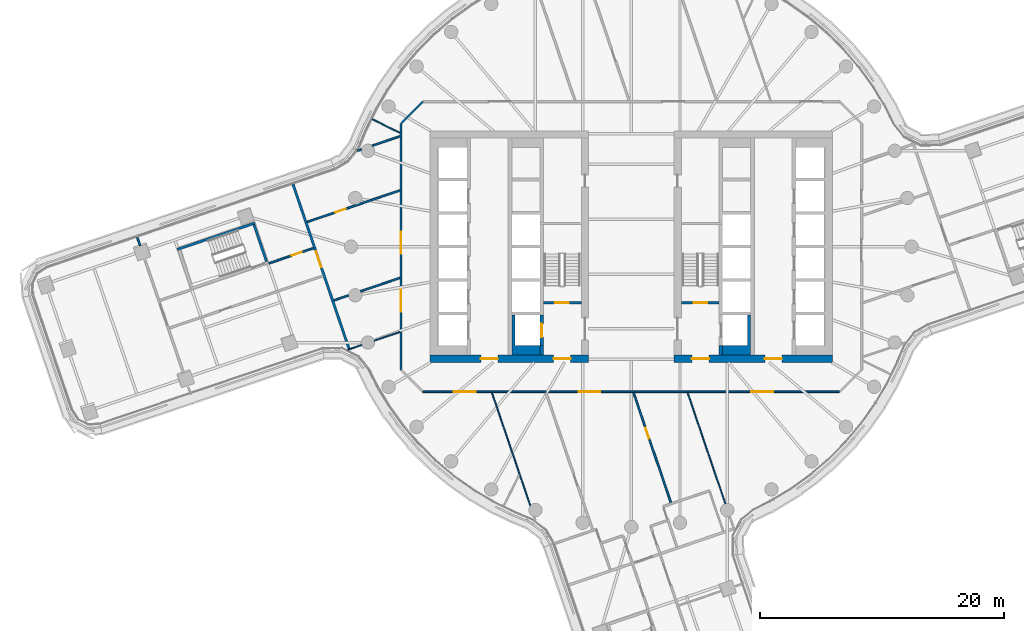
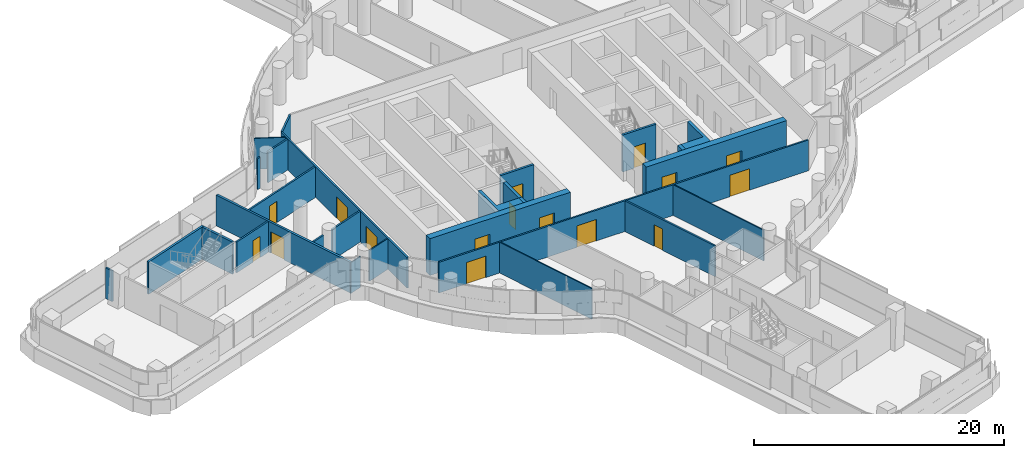
# One storey, part 18 of 29: 28 walls, 16 doors, 16 openings.
"""IFC4 building model written with IfcOpenShell, lengths in metres."""

from ifc_helpers import new_model, si_unit, direction, frame, frame_2d, origin, place, context, subcontext, project, spatial, polyline, rectangle, outline, extrude, material, layer, layer_set, type_object, element, fill, save


model = new_model("IFC4")

# Units and contexts
model_context = context("Model", 3, precision=1e-05, world=origin(), true_north=direction((0.0, 1.0)))
body_context = subcontext(model_context, "Body", "Model", "MODEL_VIEW")
ifc_project = project(units=[si_unit("LENGTHUNIT", "METRE"), si_unit("AREAUNIT", "SQUARE_METRE"), si_unit("VOLUMEUNIT", "CUBIC_METRE"), si_unit("PLANEANGLEUNIT", "RADIAN"), si_unit("MASSUNIT", "GRAM", prefix="KILO")], contexts=[model_context])

# Site, building, storey
site_placement = place(None, origin())
site = spatial("IfcSite", under=ifc_project, at=site_placement, CompositionType="ELEMENT")
building_placement = place(site_placement, origin())
building = spatial("IfcBuilding", under=site, at=building_placement, Name="Tamarind Cross Interchange Tower", CompositionType="ELEMENT")
storey_placement = place(building_placement, frame((0.0, 0.0, 102.25)))
storey = spatial("IfcBuildingStorey", under=building, at=storey_placement, Name="L24", CompositionType="ELEMENT", Elevation=102.25)

# Wall, openings, doors
ifc_material_1 = material(Name="Concrete C70", Category="concrete")
ifc_layer_1 = layer(ifc_material_1, 0.60009765625)
ifc_layer_set_1 = layer_set([ifc_layer_1], Name="Concrete C70")
wall_type_1 = type_object("IfcWallType", Name="Core wall 600 mm Concrete C70", PredefinedType="SHEAR", material=ifc_layer_set_1)
wall_1_placement = place(storey_placement, frame((-16.5, -9.199951171875, 0.0), z_axis=(0.0, 0.0, 1.0), x_axis=(1.0, 0.0, 0.0)))
wall_1 = element("IfcWall", 1, at=wall_1_placement, inside=storey, type_object=wall_type_1, Name="Core wall CWL-L24-W-S", PredefinedType="SHEAR", context=body_context, shape_type="SweptSolid", body=[
    extrude(rectangle(XDim=13.0, YDim=0.60009765625, at=frame_2d((6.5, 0.0))), origin(), (0.0, 0.0, 1.0), 3.610107421875),
])
opening_1_placement = place(wall_1_placement, frame((4.14990234375, 0.0, 0.0)))
opening_1 = element("IfcOpeningElement", 2, at=opening_1_placement, cuts=wall_1, Name="Opening DCW1", PredefinedType="OPENING", context=body_context, shape_type="SweptSolid", body=[
    extrude(rectangle(XDim=1.39990234375, YDim=2.10009765625, at=frame_2d((0.699951171875, 1.050048828125))), frame((0.0, 0.31005859375, 0.0), z_axis=(0.0, -1.0, 0.0), x_axis=(1.0, 0.0, 0.0)), (0.0, 0.0, 1.0), 0.6201171875),
])
opening_2_placement = place(wall_1_placement, frame((10.125, 0.0, 0.0)))
opening_2 = element("IfcOpeningElement", 3, at=opening_2_placement, cuts=wall_1, Name="Opening DCWF", PredefinedType="OPENING", context=body_context, shape_type="SweptSolid", body=[
    extrude(rectangle(XDim=1.39990234375, YDim=2.10009765625, at=frame_2d((0.699951171875, 1.050048828125))), frame((0.0, 0.31005859375, 0.0), z_axis=(0.0, -1.0, 0.0), x_axis=(1.0, 0.0, 0.0)), (0.0, 0.0, 1.0), 0.6201171875),
])
ifc_material_2 = material(Name="Steel, fire-resisting", Category="steel")
door_type_1 = type_object("IfcDoorType", Name="Core fire door 1400 x 2100 FD90", OperationType="SINGLE_SWING_LEFT", PredefinedType="DOOR", material=ifc_material_2)
door_1_placement = place(opening_1_placement, origin())
door_1 = element("IfcDoor", 4, at=door_1_placement, inside=storey, type_object=door_type_1, Name="L24 lift lobby door", OperationType="SINGLE_SWING_LEFT", OverallHeight=2.10009765625, OverallWidth=1.39990234375, PredefinedType="DOOR", context=body_context, shape_type="SweptSolid", body=[
    extrude(rectangle(XDim=1.39990234375, YDim=2.10009765625, at=frame_2d((0.699951171875, 1.050048828125))), frame((0.0, 0.02490234375, 0.0), z_axis=(0.0, -1.0, 0.0), x_axis=(1.0, 0.0, 0.0)), (0.0, 0.0, 1.0), 0.050048828125),
])
fill(opening_1, door_1)
door_2_placement = place(opening_2_placement, origin())
door_2 = element("IfcDoor", 5, at=door_2_placement, inside=storey, type_object=door_type_1, Name="L24 firefighting lobby end door", OperationType="SINGLE_SWING_LEFT", OverallHeight=2.10009765625, OverallWidth=1.39990234375, PredefinedType="DOOR", context=body_context, shape_type="SweptSolid", body=[
    extrude(rectangle(XDim=1.39990234375, YDim=2.10009765625, at=frame_2d((0.699951171875, 1.050048828125))), frame((0.0, 0.02490234375, 0.0), z_axis=(0.0, -1.0, 0.0), x_axis=(1.0, 0.0, 0.0)), (0.0, 0.0, 1.0), 0.050048828125),
])
fill(opening_2, door_2)

wall_2_placement = place(storey_placement, frame((16.5, -9.199951171875, 0.0), z_axis=(0.0, 0.0, 1.0), x_axis=(-1.0, 0.0, 0.0)))
wall_2 = element("IfcWall", 6, at=wall_2_placement, inside=storey, type_object=wall_type_1, Name="Core wall CWL-L24-E-S", PredefinedType="SHEAR", context=body_context, shape_type="SweptSolid", body=[
    extrude(rectangle(XDim=13.0, YDim=0.60009765625, at=frame_2d((6.5, 0.0))), origin(), (0.0, 0.0, 1.0), 3.610107421875),
])
opening_3_placement = place(wall_2_placement, frame((4.14990234375, 0.0, 0.0)))
opening_3 = element("IfcOpeningElement", 7, at=opening_3_placement, cuts=wall_2, Name="Opening DCE1", PredefinedType="OPENING", context=body_context, shape_type="SweptSolid", body=[
    extrude(rectangle(XDim=1.39990234375, YDim=2.10009765625, at=frame_2d((0.699951171875, 1.050048828125))), frame((0.0, 0.31005859375, 0.0), z_axis=(0.0, -1.0, 0.0), x_axis=(1.0, 0.0, 0.0)), (0.0, 0.0, 1.0), 0.6201171875),
])
opening_4_placement = place(wall_2_placement, frame((10.125, 0.0, 0.0)))
opening_4 = element("IfcOpeningElement", 8, at=opening_4_placement, cuts=wall_2, Name="Opening DCEF", PredefinedType="OPENING", context=body_context, shape_type="SweptSolid", body=[
    extrude(rectangle(XDim=1.39990234375, YDim=2.10009765625, at=frame_2d((0.699951171875, 1.050048828125))), frame((0.0, 0.31005859375, 0.0), z_axis=(0.0, -1.0, 0.0), x_axis=(1.0, 0.0, 0.0)), (0.0, 0.0, 1.0), 0.6201171875),
])
door_3_placement = place(opening_3_placement, origin())
door_3 = element("IfcDoor", 9, at=door_3_placement, inside=storey, type_object=door_type_1, Name="L24 lift lobby door", OperationType="SINGLE_SWING_LEFT", OverallHeight=2.10009765625, OverallWidth=1.39990234375, PredefinedType="DOOR", context=body_context, shape_type="SweptSolid", body=[
    extrude(rectangle(XDim=1.39990234375, YDim=2.10009765625, at=frame_2d((0.699951171875, 1.050048828125))), frame((0.0, 0.02490234375, 0.0), z_axis=(0.0, -1.0, 0.0), x_axis=(1.0, 0.0, 0.0)), (0.0, 0.0, 1.0), 0.050048828125),
])
fill(opening_3, door_3)
door_4_placement = place(opening_4_placement, origin())
door_4 = element("IfcDoor", 10, at=door_4_placement, inside=storey, type_object=door_type_1, Name="L24 firefighting lobby end door", OperationType="SINGLE_SWING_LEFT", OverallHeight=2.10009765625, OverallWidth=1.39990234375, PredefinedType="DOOR", context=body_context, shape_type="SweptSolid", body=[
    extrude(rectangle(XDim=1.39990234375, YDim=2.10009765625, at=frame_2d((0.699951171875, 1.050048828125))), frame((0.0, 0.02490234375, 0.0), z_axis=(0.0, -1.0, 0.0), x_axis=(1.0, 0.0, 0.0)), (0.0, 0.0, 1.0), 0.050048828125),
])
fill(opening_4, door_4)

# Walls
ifc_layer_2 = layer(ifc_material_1, 0.300048828125)
ifc_layer_set_2 = layer_set([ifc_layer_2], Name="Concrete C70")
wall_type_2 = type_object("IfcWallType", Name="Core web wall 300 mm Concrete C70", PredefinedType="SHEAR", material=ifc_layer_set_2)
wall_3_placement = place(storey_placement, origin())
element("IfcWall", 11, at=wall_3_placement, inside=storey, type_object=wall_type_2, Name="Core wall CWL-L24-W-BS", PredefinedType="SHEAR", context=body_context, shape_type="SweptSolid", body=[
    extrude(outline(polyline([(-7.5, -8.125), (-9.550048828125, -8.125), (-9.550048828125, -5.625), (-9.800048828125, -5.625), (-9.800048828125, -8.125), (-9.800048828125, -8.89990234375), (-7.5, -8.89990234375), (-7.5, -8.125)])), origin(), (0.0, 0.0, 1.0), 3.610107421875),
])
wall_4_placement = place(storey_placement, frame((-7.35009765625, -8.89990234375, 0.0), z_axis=(0.0, 0.0, 1.0), x_axis=(0.0, 1.0, 0.0)))
element("IfcWall", 12, at=wall_4_placement, inside=storey, type_object=wall_type_2, Name="Core wall CWL-L24-W-BW", PredefinedType="SHEAR", context=body_context, shape_type="SweptSolid", body=[
    extrude(rectangle(XDim=0.77490234375, YDim=0.300048828125, at=frame_2d((0.387451171875, 0.0))), origin(), (0.0, 0.0, 1.0), 3.610107421875),
])

# Wall, opening, door
wall_5_placement = place(storey_placement, frame((-7.35009765625, -8.125, 0.0), z_axis=(0.0, 0.0, 1.0), x_axis=(0.0, 1.0, 0.0)))
wall_5 = element("IfcWall", 13, at=wall_5_placement, inside=storey, type_object=wall_type_2, Name="Core wall CWL-L24-W-FF", PredefinedType="SHEAR", context=body_context, shape_type="SweptSolid", body=[
    extrude(rectangle(XDim=2.5, YDim=0.300048828125, at=frame_2d((1.25, 0.0))), origin(), (0.0, 0.0, 1.0), 3.610107421875),
])
opening_5_placement = place(wall_5_placement, frame((0.699951171875, 0.0, 0.0)))
opening_5 = element("IfcOpeningElement", 14, at=opening_5_placement, cuts=wall_5, Name="Opening LD7L24", PredefinedType="OPENING", context=body_context, shape_type="SweptSolid", body=[
    extrude(rectangle(XDim=1.10009765625, YDim=2.10009765625, at=frame_2d((0.550048828125, 1.050048828125))), frame((0.0, 0.159912109375, 0.0), z_axis=(0.0, -1.0, 0.0), x_axis=(1.0, 0.0, 0.0)), (0.0, 0.0, 1.0), 0.320068359375),
])
ifc_material_3 = material(Name="Stainless steel panel", Category="steel")
door_type_2 = type_object("IfcDoorType", Name="Lift landing door 1100 x 2100 E 120", OperationType="SLIDING_TO_LEFT", PredefinedType="DOOR", material=ifc_material_3)
door_5_placement = place(opening_5_placement, origin())
door_5 = element("IfcDoor", 15, at=door_5_placement, inside=storey, type_object=door_type_2, Name="L24 landing door LF7", OperationType="SLIDING_TO_LEFT", OverallHeight=2.10009765625, OverallWidth=1.10009765625, PredefinedType="DOOR", context=body_context, shape_type="SweptSolid", body=[
    extrude(rectangle(XDim=1.10009765625, YDim=2.10009765625, at=frame_2d((0.550048828125, 1.050048828125))), frame((0.0, 0.02490234375, 0.0), z_axis=(0.0, -1.0, 0.0), x_axis=(1.0, 0.0, 0.0)), (0.0, 0.0, 1.0), 0.050048828125),
])
fill(opening_5, door_5)

# Walls
wall_6_placement = place(storey_placement, origin())
element("IfcWall", 16, at=wall_6_placement, inside=storey, type_object=wall_type_2, Name="Core wall CWL-L24-E-BS", PredefinedType="SHEAR", context=body_context, shape_type="SweptSolid", body=[
    extrude(outline(polyline([(7.5, -8.125), (7.5, -8.89990234375), (9.800048828125, -8.89990234375), (9.800048828125, -8.125), (9.800048828125, -5.625), (9.550048828125, -5.625), (9.550048828125, -8.125), (7.5, -8.125)])), origin(), (0.0, 0.0, 1.0), 3.610107421875),
])
wall_7_placement = place(storey_placement, frame((7.35009765625, -8.89990234375, 0.0), z_axis=(0.0, 0.0, 1.0), x_axis=(0.0, 1.0, 0.0)))
element("IfcWall", 17, at=wall_7_placement, inside=storey, type_object=wall_type_2, Name="Core wall CWL-L24-E-BW", PredefinedType="SHEAR", context=body_context, shape_type="SweptSolid", body=[
    extrude(rectangle(XDim=0.77490234375, YDim=0.300048828125, at=frame_2d((0.387451171875, 0.0))), origin(), (0.0, 0.0, 1.0), 3.610107421875),
])
ifc_material_4 = material(Name="Gypsum board partition on steel studs", Category="steel")
ifc_layer_3 = layer(ifc_material_4, 0.10009765625)
ifc_layer_set_3 = layer_set([ifc_layer_3], Name="Gypsum board partition on steel studs")
wall_type_3 = type_object("IfcWallType", Name="Partition 100 mm EI 90", PredefinedType="PARTITIONING", material=ifc_layer_set_3)
wall_8_placement = place(storey_placement, frame((-11.442138671875, -11.9755859375, 0.0), z_axis=(0.0, 0.0, 1.0), x_axis=(0.322410906035, -0.946599813897, 0.0)))
element("IfcWall", 18, at=wall_8_placement, inside=storey, type_object=wall_type_3, Name="Partition L24-005", PredefinedType="PARTITIONING", context=body_context, shape_type="SweptSolid", body=[
    extrude(rectangle(XDim=9.809326171875, YDim=0.10009765625, at=frame_2d((4.90478515625, 0.0))), origin(), (0.0, 0.0, 1.0), 3.010009765625),
])
wall_9_placement = place(storey_placement, frame((4.61474609375, -11.9755859375, 0.0), z_axis=(0.0, 0.0, 1.0), x_axis=(0.322350798931, -0.946620284184, 0.0)))
element("IfcWall", 19, at=wall_9_placement, inside=storey, type_object=wall_type_3, Name="Partition L24-022", PredefinedType="PARTITIONING", context=body_context, shape_type="SweptSolid", body=[
    extrude(rectangle(XDim=9.630859375, YDim=0.10009765625, at=frame_2d((4.8154296875, 0.0))), origin(), (0.0, 0.0, 1.0), 3.010009765625),
])
wall_10_placement = place(storey_placement, frame((-21.24365234375, 10.450439453125, 0.0), z_axis=(0.0, 0.0, 1.0), x_axis=(0.897216700268, -0.441590526122, 0.0)))
element("IfcWall", 20, at=wall_10_placement, inside=storey, type_object=wall_type_3, Name="Partition L24-033", PredefinedType="PARTITIONING", context=body_context, shape_type="SweptSolid", body=[
    extrude(rectangle(XDim=2.522216796875, YDim=0.10009765625, at=frame_2d((1.26123046875, 0.0))), origin(), (0.0, 0.0, 1.0), 3.010009765625),
])
wall_11_placement = place(storey_placement, frame((-23.25732421875, -8.456787109375, 0.0), z_axis=(0.0, 0.0, 1.0), x_axis=(0.946634095783, 0.322310236729, 0.0)))
element("IfcWall", 21, at=wall_11_placement, inside=storey, type_object=wall_type_3, Name="Partition L24-043", PredefinedType="PARTITIONING", context=body_context, shape_type="SweptSolid", body=[
    extrude(rectangle(XDim=1.202880859375, YDim=0.10009765625, at=frame_2d((0.6015625, 0.0))), origin(), (0.0, 0.0, 1.0), 3.010009765625),
])
wall_12_placement = place(storey_placement, frame((-21.09228515625, -7.719482421875, 0.0), z_axis=(0.0, 0.0, 1.0), x_axis=(0.946632895809, 0.322313761065, 0.0)))
element("IfcWall", 22, at=wall_12_placement, inside=storey, type_object=wall_type_3, Name="Partition L24-044", PredefinedType="PARTITIONING", context=body_context, shape_type="SweptSolid", body=[
    extrude(rectangle(XDim=2.236083984375, YDim=0.10009765625, at=frame_2d((1.1181640625, 0.0))), origin(), (0.0, 0.0, 1.0), 3.010009765625),
])
ifc_layer_4 = layer(ifc_material_4, 0.14990234375)
ifc_layer_set_4 = layer_set([ifc_layer_4], Name="Gypsum board partition on steel studs")
wall_type_4 = type_object("IfcWallType", Name="Partition 150 mm EI 120", PredefinedType="PARTITIONING", material=ifc_layer_set_4)
wall_13_placement = place(storey_placement, frame((-40.535888671875, 0.764404296875, 0.0), z_axis=(0.0, 0.0, 1.0), x_axis=(0.322394583606, -0.946605373142, 0.0)))
element("IfcWall", 23, at=wall_13_placement, inside=storey, type_object=wall_type_4, Name="Partition L24-001", PredefinedType="PARTITIONING", context=body_context, shape_type="SweptSolid", body=[
    extrude(rectangle(XDim=0.7119140625, YDim=0.14990234375, at=frame_2d((0.35595703125, 0.0))), origin(), (0.0, 0.0, 1.0), 3.010009765625),
])

# Wall, opening, door
wall_14_placement = place(storey_placement, frame((0.179443359375, -11.98046875, 0.0), z_axis=(0.0, 0.0, 1.0), x_axis=(0.32239391973, -0.946605599245, 0.0)))
wall_14 = element("IfcWall", 24, at=wall_14_placement, inside=storey, type_object=wall_type_4, Name="Partition L24-018", PredefinedType="PARTITIONING", context=body_context, shape_type="SweptSolid", body=[
    extrude(rectangle(XDim=9.551513671875, YDim=0.14990234375, at=frame_2d((4.77587890625, 0.0))), origin(), (0.0, 0.0, 1.0), 3.010009765625),
])
opening_6_placement = place(wall_14_placement, frame((3.06494140625, 0.0, 0.0)))
opening_6 = element("IfcOpeningElement", 25, at=opening_6_placement, cuts=wall_14, Name="Opening D14", PredefinedType="OPENING", context=body_context, shape_type="SweptSolid", body=[
    extrude(rectangle(XDim=0.89990234375, YDim=2.10009765625, at=frame_2d((0.449951171875, 1.050048828125))), frame((0.0, 0.0849609375, 0.0), z_axis=(0.0, -1.0, 0.0), x_axis=(1.0, 0.0, 0.0)), (0.0, 0.0, 1.0), 0.169921875),
])
ifc_material_5 = material(Name="Fire-resisting door set")
door_type_3 = type_object("IfcDoorType", Name="Interior door 900 x 2100 FD60S", OperationType="SINGLE_SWING_LEFT", PredefinedType="DOOR", material=ifc_material_5)
door_6_placement = place(opening_6_placement, origin())
door_6 = element("IfcDoor", 26, at=door_6_placement, inside=storey, type_object=door_type_3, Name="Door D14", OperationType="SINGLE_SWING_RIGHT", OverallHeight=2.10009765625, OverallWidth=0.89990234375, PredefinedType="DOOR", context=body_context, shape_type="SweptSolid", body=[
    extrude(rectangle(XDim=0.89990234375, YDim=2.10009765625, at=frame_2d((0.449951171875, 1.050048828125))), frame((0.0, 0.02490234375, 0.0), z_axis=(0.0, -1.0, 0.0), x_axis=(1.0, 0.0, 0.0)), (0.0, 0.0, 1.0), 0.050048828125),
])
fill(opening_6, door_6)

# Wall, openings, doors
wall_15_placement = place(storey_placement, frame((-17.10009765625, -11.89990234375, 0.0), z_axis=(0.0, 0.0, 1.0), x_axis=(1.0, 0.0, 0.0)))
wall_15 = element("IfcWall", 27, at=wall_15_placement, inside=storey, type_object=wall_type_4, Name="Partition L24-035", PredefinedType="PARTITIONING", context=body_context, shape_type="SweptSolid", body=[
    extrude(rectangle(XDim=34.1650390625, YDim=0.14990234375, at=frame_2d((17.08251953125, 0.0))), origin(), (0.0, 0.0, 1.0), 3.010009765625),
])
opening_7_placement = place(wall_15_placement, frame((12.76904296875, 0.0, 0.0)))
opening_7 = element("IfcOpeningElement", 28, at=opening_7_placement, cuts=wall_15, Name="Opening D22", PredefinedType="OPENING", context=body_context, shape_type="SweptSolid", body=[
    extrude(rectangle(XDim=1.800048828125, YDim=2.10009765625, at=frame_2d((0.89990234375, 1.050048828125))), frame((0.0, 0.0849609375, 0.0), z_axis=(0.0, -1.0, 0.0), x_axis=(1.0, 0.0, 0.0)), (0.0, 0.0, 1.0), 0.169921875),
])
opening_8_placement = place(wall_15_placement, frame((2.550048828125, 0.0, 0.0)))
opening_8 = element("IfcOpeningElement", 29, at=opening_8_placement, cuts=wall_15, Name="Opening D23", PredefinedType="OPENING", context=body_context, shape_type="SweptSolid", body=[
    extrude(rectangle(XDim=1.800048828125, YDim=2.10009765625, at=frame_2d((0.89990234375, 1.050048828125))), frame((0.0, 0.0849609375, 0.0), z_axis=(0.0, -1.0, 0.0), x_axis=(1.0, 0.0, 0.0)), (0.0, 0.0, 1.0), 0.169921875),
])
opening_9_placement = place(wall_15_placement, frame((26.93896484375, 0.0, 0.0)))
opening_9 = element("IfcOpeningElement", 30, at=opening_9_placement, cuts=wall_15, Name="Opening D24", PredefinedType="OPENING", context=body_context, shape_type="SweptSolid", body=[
    extrude(rectangle(XDim=1.800048828125, YDim=2.10009765625, at=frame_2d((0.89990234375, 1.050048828125))), frame((0.0, 0.0849609375, 0.0), z_axis=(0.0, -1.0, 0.0), x_axis=(1.0, 0.0, 0.0)), (0.0, 0.0, 1.0), 0.169921875),
])
door_type_4 = type_object("IfcDoorType", Name="Interior door 1800 x 2100 FD60S", OperationType="DOUBLE_DOOR_SINGLE_SWING", PredefinedType="DOOR", material=ifc_material_5)
door_7_placement = place(opening_7_placement, origin())
door_7 = element("IfcDoor", 31, at=door_7_placement, inside=storey, type_object=door_type_4, Name="Door D22", OperationType="DOUBLE_DOOR_SINGLE_SWING", OverallHeight=2.10009765625, OverallWidth=1.800048828125, PredefinedType="DOOR", context=body_context, shape_type="SweptSolid", body=[
    extrude(rectangle(XDim=1.800048828125, YDim=2.10009765625, at=frame_2d((0.89990234375, 1.050048828125))), frame((0.0, 0.02490234375, 0.0), z_axis=(0.0, -1.0, 0.0), x_axis=(1.0, 0.0, 0.0)), (0.0, 0.0, 1.0), 0.050048828125),
])
fill(opening_7, door_7)
door_8_placement = place(opening_8_placement, frame((1.800048828125, 0.0, 0.0), z_axis=(0.0, 0.0, 1.0), x_axis=(-1.0, 0.0, 0.0)))
door_8 = element("IfcDoor", 32, at=door_8_placement, inside=storey, type_object=door_type_4, Name="Door D23", OperationType="DOUBLE_DOOR_SINGLE_SWING", OverallHeight=2.10009765625, OverallWidth=1.800048828125, PredefinedType="DOOR", context=body_context, shape_type="SweptSolid", body=[
    extrude(rectangle(XDim=1.800048828125, YDim=2.10009765625, at=frame_2d((0.89990234375, 1.050048828125))), frame((0.0, 0.02490234375, 0.0), z_axis=(0.0, -1.0, 0.0), x_axis=(1.0, 0.0, 0.0)), (0.0, 0.0, 1.0), 0.050048828125),
])
fill(opening_8, door_8)
door_9_placement = place(opening_9_placement, frame((1.800048828125, 0.0, 0.0), z_axis=(0.0, 0.0, 1.0), x_axis=(-1.0, 0.0, 0.0)))
door_9 = element("IfcDoor", 33, at=door_9_placement, inside=storey, type_object=door_type_4, Name="Door D24", OperationType="DOUBLE_DOOR_SINGLE_SWING", OverallHeight=2.10009765625, OverallWidth=1.800048828125, PredefinedType="DOOR", context=body_context, shape_type="SweptSolid", body=[
    extrude(rectangle(XDim=1.800048828125, YDim=2.10009765625, at=frame_2d((0.89990234375, 1.050048828125))), frame((0.0, 0.02490234375, 0.0), z_axis=(0.0, -1.0, 0.0), x_axis=(1.0, 0.0, 0.0)), (0.0, 0.0, 1.0), 0.050048828125),
])
fill(opening_9, door_9)

# Wall, opening, door
wall_16_placement = place(storey_placement, frame((-29.73193359375, -1.365478515625, 0.0), z_axis=(0.0, 0.0, 1.0), x_axis=(0.946594460999, 0.32242662174, 0.0)))
wall_16 = element("IfcWall", 34, at=wall_16_placement, inside=storey, type_object=wall_type_4, Name="Partition L24-038", PredefinedType="PARTITIONING", context=body_context, shape_type="SweptSolid", body=[
    extrude(rectangle(XDim=3.859375, YDim=0.14990234375, at=frame_2d((1.9296875, 0.0))), origin(), (0.0, 0.0, 1.0), 3.010009765625),
])
opening_10_placement = place(wall_16_placement, frame((1.949951171875, 0.0, 0.0)))
opening_10 = element("IfcOpeningElement", 35, at=opening_10_placement, cuts=wall_16, Name="Opening D28", PredefinedType="OPENING", context=body_context, shape_type="SweptSolid", body=[
    extrude(rectangle(XDim=0.89990234375, YDim=2.10009765625, at=frame_2d((0.449951171875, 1.050048828125))), frame((0.0, 0.0849609375, 0.0), z_axis=(0.0, -1.0, 0.0), x_axis=(1.0, 0.0, 0.0)), (0.0, 0.0, 1.0), 0.169921875),
])
door_10_placement = place(opening_10_placement, origin())
door_10 = element("IfcDoor", 36, at=door_10_placement, inside=storey, type_object=door_type_3, Name="Door D28", OperationType="SINGLE_SWING_LEFT", OverallHeight=2.10009765625, OverallWidth=0.89990234375, PredefinedType="DOOR", context=body_context, shape_type="SweptSolid", body=[
    extrude(rectangle(XDim=0.89990234375, YDim=2.10009765625, at=frame_2d((0.449951171875, 1.050048828125))), frame((0.0, 0.02490234375, 0.0), z_axis=(0.0, -1.0, 0.0), x_axis=(1.0, 0.0, 0.0)), (0.0, 0.0, 1.0), 0.050048828125),
])
fill(opening_10, door_10)

wall_17_placement = place(storey_placement, frame((-26.598388671875, 2.025146484375, 0.0), z_axis=(0.0, 0.0, 1.0), x_axis=(0.946606379471, 0.322391628838, 0.0)))
wall_17 = element("IfcWall", 37, at=wall_17_placement, inside=storey, type_object=wall_type_4, Name="Partition L24-040", PredefinedType="PARTITIONING", context=body_context, shape_type="SweptSolid", body=[
    extrude(rectangle(XDim=8.047607421875, YDim=0.14990234375, at=frame_2d((4.02392578125, 0.0))), origin(), (0.0, 0.0, 1.0), 3.010009765625),
])
opening_11_placement = place(wall_17_placement, frame((2.449951171875, 0.0, 0.0)))
opening_11 = element("IfcOpeningElement", 38, at=opening_11_placement, cuts=wall_17, Name="Opening D30", PredefinedType="OPENING", context=body_context, shape_type="SweptSolid", body=[
    extrude(rectangle(XDim=0.89990234375, YDim=2.10009765625, at=frame_2d((0.449951171875, 1.050048828125))), frame((0.0, 0.0849609375, 0.0), z_axis=(0.0, -1.0, 0.0), x_axis=(1.0, 0.0, 0.0)), (0.0, 0.0, 1.0), 0.169921875),
])
door_11_placement = place(opening_11_placement, origin())
door_11 = element("IfcDoor", 39, at=door_11_placement, inside=storey, type_object=door_type_3, Name="Door D30", OperationType="SINGLE_SWING_RIGHT", OverallHeight=2.10009765625, OverallWidth=0.89990234375, PredefinedType="DOOR", context=body_context, shape_type="SweptSolid", body=[
    extrude(rectangle(XDim=0.89990234375, YDim=2.10009765625, at=frame_2d((0.449951171875, 1.050048828125))), frame((0.0, 0.02490234375, 0.0), z_axis=(0.0, -1.0, 0.0), x_axis=(1.0, 0.0, 0.0)), (0.0, 0.0, 1.0), 0.050048828125),
])
fill(opening_11, door_11)

# Walls
wall_18_placement = place(storey_placement, frame((-24.40625, -4.410888671875, 0.0), z_axis=(0.0, 0.0, 1.0), x_axis=(0.94655971864, 0.322528601909, 0.0)))
element("IfcWall", 40, at=wall_18_placement, inside=storey, type_object=wall_type_4, Name="Partition L24-041", PredefinedType="PARTITIONING", context=body_context, shape_type="SweptSolid", body=[
    extrude(rectangle(XDim=1.265625, YDim=0.14990234375, at=frame_2d((0.6328125, 0.0))), origin(), (0.0, 0.0, 1.0), 3.010009765625),
])
wall_19_placement = place(storey_placement, frame((-22.21484375, -3.66455078125, 0.0), z_axis=(0.0, 0.0, 1.0), x_axis=(0.946648978423, 0.322266522697, 0.0)))
element("IfcWall", 41, at=wall_19_placement, inside=storey, type_object=wall_type_4, Name="Partition L24-042", PredefinedType="PARTITIONING", context=body_context, shape_type="SweptSolid", body=[
    extrude(rectangle(XDim=3.416748046875, YDim=0.14990234375, at=frame_2d((1.70849609375, 0.0))), origin(), (0.0, 0.0, 1.0), 3.010009765625),
])
wall_20_placement = place(storey_placement, frame((-22.467041015625, 7.869384765625, 0.0), z_axis=(0.0, 0.0, 1.0), x_axis=(0.946742345381, 0.321992129505, 0.0)))
element("IfcWall", 42, at=wall_20_placement, inside=storey, type_object=wall_type_4, Name="Partition L24-045", PredefinedType="PARTITIONING", context=body_context, shape_type="SweptSolid", body=[
    extrude(rectangle(XDim=0.3427734375, YDim=0.14990234375, at=frame_2d((0.17138671875, 0.0))), origin(), (0.0, 0.0, 1.0), 3.010009765625),
])
wall_21_placement = place(storey_placement, frame((-21.261474609375, 8.27978515625, 0.0), z_axis=(0.0, 0.0, 1.0), x_axis=(0.946606493427, 0.32239129424, 0.0)))
element("IfcWall", 43, at=wall_21_placement, inside=storey, type_object=wall_type_4, Name="Partition L24-046", PredefinedType="PARTITIONING", context=body_context, shape_type="SweptSolid", body=[
    extrude(rectangle(XDim=2.40966796875, YDim=0.14990234375, at=frame_2d((1.204833984375, 0.0))), origin(), (0.0, 0.0, 1.0), 3.010009765625),
])
wall_22_placement = place(storey_placement, frame((-18.87158203125, 10.12841796875, 0.0), z_axis=(0.0, 0.0, 1.0), x_axis=(0.707106781187, 0.707106781187, 0.0)))
element("IfcWall", 44, at=wall_22_placement, inside=storey, type_object=wall_type_4, Name="Partition L24-077", PredefinedType="PARTITIONING", context=body_context, shape_type="SweptSolid", body=[
    extrude(rectangle(XDim=2.50537109375, YDim=0.14990234375, at=frame_2d((1.252685546875, 0.0))), origin(), (0.0, 0.0, 1.0), 3.010009765625),
])

# Wall, openings, doors
wall_23_placement = place(storey_placement, frame((-18.89990234375, -10.10009765625, 0.0), z_axis=(0.0, 0.0, 1.0), x_axis=(0.0, 1.0, 0.0)))
wall_23 = element("IfcWall", 45, at=wall_23_placement, inside=storey, type_object=wall_type_4, Name="Partition L24-081", PredefinedType="PARTITIONING", context=body_context, shape_type="SweptSolid", body=[
    extrude(rectangle(XDim=20.2001953125, YDim=0.14990234375, at=frame_2d((10.10009765625, 0.0))), origin(), (0.0, 0.0, 1.0), 3.010009765625),
])
opening_12_placement = place(wall_23_placement, frame((9.513916015625, 0.0, 0.0)))
opening_12 = element("IfcOpeningElement", 46, at=opening_12_placement, cuts=wall_23, Name="Opening D39", PredefinedType="OPENING", context=body_context, shape_type="SweptSolid", body=[
    extrude(rectangle(XDim=1.800048828125, YDim=2.10009765625, at=frame_2d((0.89990234375, 1.050048828125))), frame((0.0, 0.0849609375, 0.0), z_axis=(0.0, -1.0, 0.0), x_axis=(1.0, 0.0, 0.0)), (0.0, 0.0, 1.0), 0.169921875),
])
opening_13_placement = place(wall_23_placement, frame((4.777099609375, 0.0, 0.0)))
opening_13 = element("IfcOpeningElement", 47, at=opening_13_placement, cuts=wall_23, Name="Opening D40", PredefinedType="OPENING", context=body_context, shape_type="SweptSolid", body=[
    extrude(rectangle(XDim=1.800048828125, YDim=2.10009765625, at=frame_2d((0.89990234375, 1.050048828125))), frame((0.0, 0.0849609375, 0.0), z_axis=(0.0, -1.0, 0.0), x_axis=(1.0, 0.0, 0.0)), (0.0, 0.0, 1.0), 0.169921875),
])
door_12_placement = place(opening_12_placement, frame((1.800048828125, 0.0, 0.0), z_axis=(0.0, 0.0, 1.0), x_axis=(-1.0, 0.0, 0.0)))
door_12 = element("IfcDoor", 48, at=door_12_placement, inside=storey, type_object=door_type_4, Name="Door D39", OperationType="DOUBLE_DOOR_SINGLE_SWING", OverallHeight=2.10009765625, OverallWidth=1.800048828125, PredefinedType="DOOR", context=body_context, shape_type="SweptSolid", body=[
    extrude(rectangle(XDim=1.800048828125, YDim=2.10009765625, at=frame_2d((0.89990234375, 1.050048828125))), frame((0.0, 0.02490234375, 0.0), z_axis=(0.0, -1.0, 0.0), x_axis=(1.0, 0.0, 0.0)), (0.0, 0.0, 1.0), 0.050048828125),
])
fill(opening_12, door_12)
door_13_placement = place(opening_13_placement, origin())
door_13 = element("IfcDoor", 49, at=door_13_placement, inside=storey, type_object=door_type_4, Name="Door D40", OperationType="DOUBLE_DOOR_SINGLE_SWING", OverallHeight=2.10009765625, OverallWidth=1.800048828125, PredefinedType="DOOR", context=body_context, shape_type="SweptSolid", body=[
    extrude(rectangle(XDim=1.800048828125, YDim=2.10009765625, at=frame_2d((0.89990234375, 1.050048828125))), frame((0.0, 0.02490234375, 0.0), z_axis=(0.0, -1.0, 0.0), x_axis=(1.0, 0.0, 0.0)), (0.0, 0.0, 1.0), 0.050048828125),
])
fill(opening_13, door_13)

# Wall, opening, door
ifc_layer_5 = layer(ifc_material_4, 0.199951171875)
ifc_layer_set_5 = layer_set([ifc_layer_5], Name="Gypsum board partition on steel studs")
wall_type_5 = type_object("IfcWallType", Name="Partition 200 mm EI 180", PredefinedType="PARTITIONING", material=ifc_layer_set_5)
wall_24_placement = place(storey_placement, frame((-27.7568359375, 5.1162109375, 0.0), z_axis=(0.0, 0.0, 1.0), x_axis=(0.32239970141, -0.946603630107, 0.0)))
wall_24 = element("IfcWall", 50, at=wall_24_placement, inside=storey, type_object=wall_type_5, Name="Partition L24-004", PredefinedType="PARTITIONING", context=body_context, shape_type="SweptSolid", body=[
    extrude(rectangle(XDim=14.24853515625, YDim=0.199951171875, at=frame_2d((7.124267578125, 0.0))), origin(), (0.0, 0.0, 1.0), 3.010009765625),
])
opening_14_placement = place(wall_24_placement, frame((5.798828125, 0.0, 0.0)))
opening_14 = element("IfcOpeningElement", 51, at=opening_14_placement, cuts=wall_24, Name="Opening D02", PredefinedType="OPENING", context=body_context, shape_type="SweptSolid", body=[
    extrude(rectangle(XDim=1.39990234375, YDim=2.10009765625, at=frame_2d((0.699951171875, 1.050048828125))), frame((0.0, 0.10986328125, 0.0), z_axis=(0.0, -1.0, 0.0), x_axis=(1.0, 0.0, 0.0)), (0.0, 0.0, 1.0), 0.219970703125),
])
door_type_5 = type_object("IfcDoorType", Name="Interior door 1400 x 2100 FD120S", OperationType="DOUBLE_DOOR_SINGLE_SWING", PredefinedType="DOOR", material=ifc_material_5)
door_14_placement = place(opening_14_placement, origin())
door_14 = element("IfcDoor", 52, at=door_14_placement, inside=storey, type_object=door_type_5, Name="Door D02", OperationType="DOUBLE_DOOR_SINGLE_SWING", OverallHeight=2.10009765625, OverallWidth=1.39990234375, PredefinedType="DOOR", context=body_context, shape_type="SweptSolid", body=[
    extrude(rectangle(XDim=1.39990234375, YDim=2.10009765625, at=frame_2d((0.699951171875, 1.050048828125))), frame((0.0, 0.02490234375, 0.0), z_axis=(0.0, -1.0, 0.0), x_axis=(1.0, 0.0, 0.0)), (0.0, 0.0, 1.0), 0.050048828125),
])
fill(opening_14, door_14)

ifc_material_6 = material(Name="Concrete C40", Category="concrete")
ifc_layer_6 = layer(ifc_material_6, 0.199951171875)
ifc_layer_set_6 = layer_set([ifc_layer_6], Name="Concrete C40")
wall_type_6 = type_object("IfcWallType", Name="Stair shaft wall 200 mm Concrete C40", PredefinedType="SHEAR", material=ifc_layer_set_6)
wall_25_placement = place(storey_placement, frame((-7.199951171875, -4.60009765625, 0.0), z_axis=(0.0, 0.0, 1.0), x_axis=(1.0, 0.0, 0.0)))
wall_25 = element("IfcWall", 53, at=wall_25_placement, inside=storey, type_object=wall_type_6, Name="Core wall CWL-L24-W-SD", PredefinedType="SHEAR", context=body_context, shape_type="SweptSolid", body=[
    extrude(rectangle(XDim=3.099853515625, YDim=0.199951171875, at=frame_2d((1.5498046875, 0.0))), origin(), (0.0, 0.0, 1.0), 3.610107421875),
])
opening_15_placement = place(wall_25_placement, frame((0.97509765625, 0.0, 0.0)))
opening_15 = element("IfcOpeningElement", 54, at=opening_15_placement, cuts=wall_25, Name="Opening DCW6", PredefinedType="OPENING", context=body_context, shape_type="SweptSolid", body=[
    extrude(rectangle(XDim=1.10009765625, YDim=2.10009765625, at=frame_2d((0.550048828125, 1.050048828125))), frame((0.0, 0.10986328125, 0.0), z_axis=(0.0, -1.0, 0.0), x_axis=(1.0, 0.0, 0.0)), (0.0, 0.0, 1.0), 0.219970703125),
])
door_type_6 = type_object("IfcDoorType", Name="Core fire door 1100 x 2100 FD90", OperationType="SINGLE_SWING_LEFT", PredefinedType="DOOR", material=ifc_material_2)
door_15_placement = place(opening_15_placement, origin())
door_15 = element("IfcDoor", 55, at=door_15_placement, inside=storey, type_object=door_type_6, Name="L24 stair door", OperationType="SINGLE_SWING_LEFT", OverallHeight=2.10009765625, OverallWidth=1.10009765625, PredefinedType="DOOR", context=body_context, shape_type="SweptSolid", body=[
    extrude(rectangle(XDim=1.10009765625, YDim=2.10009765625, at=frame_2d((0.550048828125, 1.050048828125))), frame((0.0, 0.02490234375, 0.0), z_axis=(0.0, -1.0, 0.0), x_axis=(1.0, 0.0, 0.0)), (0.0, 0.0, 1.0), 0.050048828125),
])
fill(opening_15, door_15)

wall_26_placement = place(storey_placement, frame((7.199951171875, -4.60009765625, 0.0), z_axis=(0.0, 0.0, 1.0), x_axis=(-1.0, 0.0, 0.0)))
wall_26 = element("IfcWall", 56, at=wall_26_placement, inside=storey, type_object=wall_type_6, Name="Core wall CWL-L24-E-SD", PredefinedType="SHEAR", context=body_context, shape_type="SweptSolid", body=[
    extrude(rectangle(XDim=3.099853515625, YDim=0.199951171875, at=frame_2d((1.5498046875, 0.0))), origin(), (0.0, 0.0, 1.0), 3.610107421875),
])
opening_16_placement = place(wall_26_placement, frame((0.97509765625, 0.0, 0.0)))
opening_16 = element("IfcOpeningElement", 57, at=opening_16_placement, cuts=wall_26, Name="Opening DCE6", PredefinedType="OPENING", context=body_context, shape_type="SweptSolid", body=[
    extrude(rectangle(XDim=1.10009765625, YDim=2.10009765625, at=frame_2d((0.550048828125, 1.050048828125))), frame((0.0, 0.10986328125, 0.0), z_axis=(0.0, -1.0, 0.0), x_axis=(1.0, 0.0, 0.0)), (0.0, 0.0, 1.0), 0.219970703125),
])
door_16_placement = place(opening_16_placement, origin())
door_16 = element("IfcDoor", 58, at=door_16_placement, inside=storey, type_object=door_type_6, Name="L24 stair door", OperationType="SINGLE_SWING_LEFT", OverallHeight=2.10009765625, OverallWidth=1.10009765625, PredefinedType="DOOR", context=body_context, shape_type="SweptSolid", body=[
    extrude(rectangle(XDim=1.10009765625, YDim=2.10009765625, at=frame_2d((0.550048828125, 1.050048828125))), frame((0.0, 0.02490234375, 0.0), z_axis=(0.0, -1.0, 0.0), x_axis=(1.0, 0.0, 0.0)), (0.0, 0.0, 1.0), 0.050048828125),
])
fill(opening_16, door_16)

# Walls
wall_27_placement = place(storey_placement, frame((-30.898681640625, 1.9345703125, -0.139892578125), z_axis=(0.0, 0.0, 1.0), x_axis=(-0.946611819599, -0.322375655092, 0.0)))
element("IfcWall", 59, at=wall_27_placement, inside=storey, type_object=wall_type_6, Name="Core wall CWL-L24-ST5-C", PredefinedType="SHEAR", context=body_context, shape_type="SweptSolid", body=[
    extrude(rectangle(XDim=6.699951171875, YDim=0.199951171875, at=frame_2d((3.35009765625, 0.0))), origin(), (0.0, 0.0, 1.0), 3.14990234375),
])
wall_28_placement = place(storey_placement, frame((-30.961181640625, 1.8076171875, -0.139892578125), z_axis=(0.0, 0.0, 1.0), x_axis=(0.322355445727, -0.946618701807, 0.0)))
element("IfcWall", 60, at=wall_28_placement, inside=storey, type_object=wall_type_6, Name="Core wall CWL-L24-ST5-CE", PredefinedType="SHEAR", context=body_context, shape_type="SweptSolid", body=[
    extrude(rectangle(XDim=3.199951171875, YDim=0.199951171875, at=frame_2d((1.60009765625, 0.0))), origin(), (0.0, 0.0, 1.0), 3.14990234375),
])

save(model, "model.ifc")
